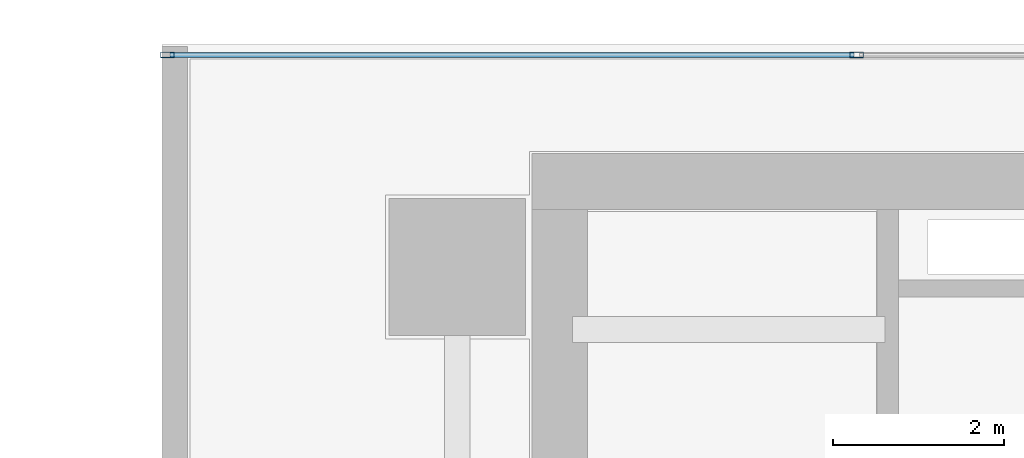
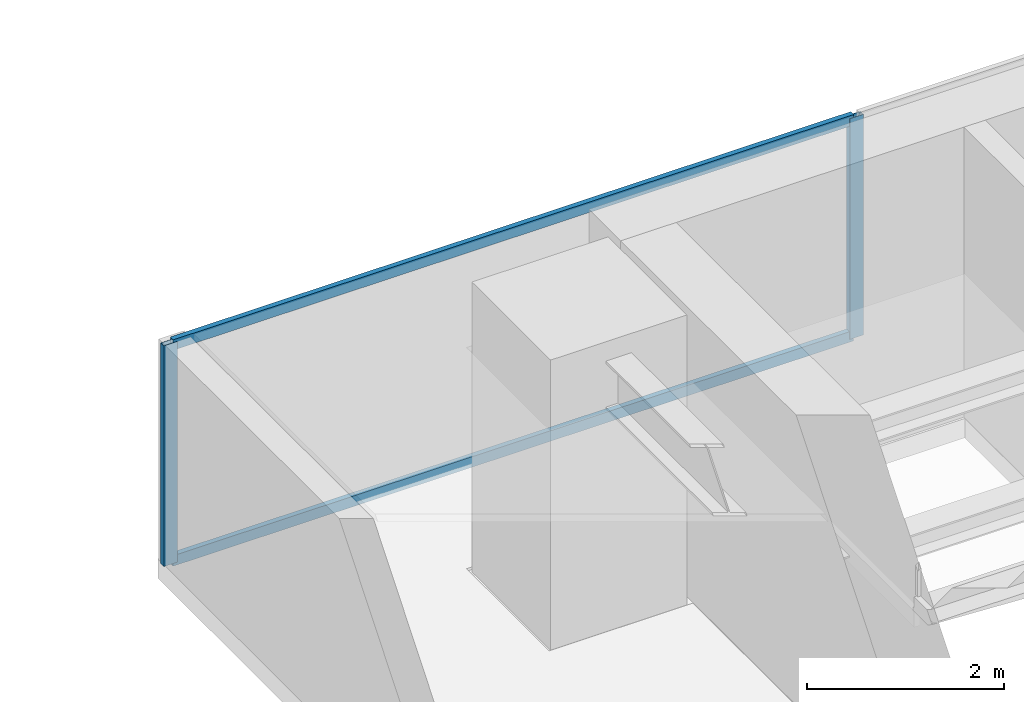
# One storey, part 20 of 36: 4 members, 1 element without a shape of its own.
"""IFC4 building model written with IfcOpenShell, lengths in metres."""

import ifcopenshell
import ifcopenshell.guid

model = None  # the IFC model being written
_history = None  # IfcOwnerHistory: only IFC2X3 demands one
_inside = {}  # id of a spatial element -> (the spatial element, [elements in it])
_under = {}  # id of a project, library or spatial element -> (it, [spatial elements below it])
_declared = {}  # id of a project -> (the project, [libraries it declares])
_typed = {}  # id of a type object -> (the type object, [elements of that type])
_made_of = {}  # id of a material, layer set ... -> (it, [elements and type objects made of it])


def new_model(schema):
    """Start an empty IFC model of exactly this schema.

    Asked for "IFC4X3", IfcOpenShell would pick the latest addendum, in which some entities
    have other attributes; the version numbers below select the first issue.
    IFC2X3 requires an IfcOwnerHistory on every rooted entity: one is made here for all.
    """
    global model, _history
    if schema == "IFC4X3":
        model = ifcopenshell.file(schema_version=(4, 3, 0, 0))
    else:
        model = ifcopenshell.file(schema=schema)
    _inside.clear()
    _under.clear()
    _declared.clear()
    _typed.clear()
    _made_of.clear()
    _history = None
    if model.schema == "IFC2X3":
        org = make("IfcOrganization", Name="unknown")
        user = make(
            "IfcPersonAndOrganization",
            ThePerson=make("IfcPerson", FamilyName="unknown"),
            TheOrganization=org,
        )
        app = make(
            "IfcApplication",
            ApplicationDeveloper=org,
            Version="unknown",
            ApplicationFullName="unknown",
            ApplicationIdentifier="unknown",
        )
        _history = make(
            "IfcOwnerHistory",
            OwningUser=user,
            OwningApplication=app,
            ChangeAction="ADDED",
            CreationDate=0,
        )
    return model


def make(cls, **values):
    """One entity of the class cls with the attributes given. An attribute that is None is left unset."""
    return model.create_entity(
        cls, **{name: value for name, value in values.items() if value is not None}
    )


def rooted(cls, **values):
    """An entity with a GlobalId (a new one), such as an element, a storey or a relation."""
    return make(cls, GlobalId=ifcopenshell.guid.new(), OwnerHistory=_history, **values)


def si_unit(unit_type, name, prefix=None):
    """IfcSIUnit, for example si_unit("LENGTHUNIT", "METRE", prefix="MILLI")."""
    return make("IfcSIUnit", UnitType=unit_type, Prefix=prefix, Name=name)


def assignment(units):
    """IfcUnitAssignment: the units of a project."""
    return None if units is None else make("IfcUnitAssignment", Units=units)


def point(xyz):
    """IfcCartesianPoint."""
    return None if xyz is None else make("IfcCartesianPoint", Coordinates=xyz)


def direction(xyz):
    """IfcDirection."""
    return None if xyz is None else make("IfcDirection", DirectionRatios=xyz)


def frame(location, z_axis=None, x_axis=None):
    """IfcAxis2Placement3D, a coordinate frame: its origin and axes. An axis left out is left unset."""
    return make(
        "IfcAxis2Placement3D",
        Location=point(location),
        Axis=direction(z_axis),
        RefDirection=direction(x_axis),
    )


def frame_2d(location, x_axis=None):
    """IfcAxis2Placement2D, a coordinate frame in the plane: its origin and x axis."""
    return make(
        "IfcAxis2Placement2D", Location=point(location), RefDirection=direction(x_axis)
    )


def origin():
    """The frame at (0, 0, 0) with its axes left unset."""
    return frame((0.0, 0.0, 0.0))


def origin_2d():
    """The frame at (0, 0) in the plane with its x axis left unset."""
    return frame_2d((0.0, 0.0))


def place(relative_to, where):
    """IfcLocalPlacement: puts the frame where relative to a parent placement (None: the world)."""
    return make(
        "IfcLocalPlacement", PlacementRelTo=relative_to, RelativePlacement=where
    )


def context(
    kind, dimensions, precision=None, world=None, true_north=None, identifier=None
):
    """IfcGeometricRepresentationContext, for example the 3D "Model" context."""
    return make(
        "IfcGeometricRepresentationContext",
        ContextIdentifier=identifier,
        ContextType=kind,
        CoordinateSpaceDimension=dimensions,
        Precision=precision,
        WorldCoordinateSystem=world,
        TrueNorth=true_north,
    )


def subcontext(parent, identifier, kind, view, scale=None):
    """IfcGeometricRepresentationSubContext, for example "Body" below "Model"."""
    return make(
        "IfcGeometricRepresentationSubContext",
        ContextIdentifier=identifier,
        ContextType=kind,
        ParentContext=parent,
        TargetScale=scale,
        TargetView=view,
    )


def project(units=None, contexts=None):
    """IfcProject with its units and contexts."""
    return rooted(
        "IfcProject",
        Name="project",
        RepresentationContexts=contexts,
        UnitsInContext=assignment(units),
    )


def spatial(cls, under=None, at=None, **own):
    """A site, building, storey or space (cls), placed at a placement, below another one or the project."""
    s = rooted(cls, ObjectPlacement=at, **own)
    if under is not None:
        _under.setdefault(under.id(), (under, []))[1].append(s)
    return s


def profile(cls, at=None, kind="AREA", **sizes):
    """A parametric profile (cls). Its sizes go by their IFC names, for example OverallWidth=200.0."""
    return make(cls, ProfileType=kind, Position=at, **sizes)


def hollow_rectangle(**sizes):
    """IfcRectangleHollowProfileDef."""
    return profile("IfcRectangleHollowProfileDef", **sizes)


def extrude(swept, where, along, depth):
    """IfcExtrudedAreaSolid: the profile swept, set in the frame where, extruded along a direction by depth."""
    return make(
        "IfcExtrudedAreaSolid",
        SweptArea=swept,
        Position=where,
        ExtrudedDirection=direction(along),
        Depth=depth,
    )


def shape(context_of_items, identifier, shape_type, items):
    """IfcShapeRepresentation: the items that make up one representation, for example the "Body"."""
    return make(
        "IfcShapeRepresentation",
        ContextOfItems=context_of_items,
        RepresentationIdentifier=identifier,
        RepresentationType=shape_type,
        Items=items,
    )


def source(mapping_origin, context_of_items, identifier, shape_type, items):
    """IfcRepresentationMap: a shape defined once, which mapped items show again and again."""
    return make(
        "IfcRepresentationMap",
        MappingOrigin=mapping_origin,
        MappedRepresentation=shape(context_of_items, identifier, shape_type, items),
    )


def transform(
    local_origin,
    x_axis=None,
    y_axis=None,
    z_axis=None,
    scale=None,
    scale2=None,
    scale3=None,
    uniform=True,
):
    """IfcCartesianTransformationOperator3D, or its non-uniform kind. x_axis, y_axis, z_axis: its Axis1, 2, 3."""
    if uniform:
        return make(
            "IfcCartesianTransformationOperator3D",
            Axis1=direction(x_axis),
            Axis2=direction(y_axis),
            LocalOrigin=point(local_origin),
            Scale=scale,
            Axis3=direction(z_axis),
        )
    return make(
        "IfcCartesianTransformationOperator3DnonUniform",
        Axis1=direction(x_axis),
        Axis2=direction(y_axis),
        LocalOrigin=point(local_origin),
        Scale=scale,
        Axis3=direction(z_axis),
        Scale2=scale2,
        Scale3=scale3,
    )


def mapped(mapping_source, mapping_target):
    """IfcMappedItem: shows the shape of a source again, moved by a transform."""
    return make(
        "IfcMappedItem", MappingSource=mapping_source, MappingTarget=mapping_target
    )


def material(Name=None, Category=None):
    """IfcMaterial."""
    return make("IfcMaterial", Name=Name, Category=Category)


def layer(
    of_material, thickness, ventilated=None, Name=None, Category=None, Priority=None
):
    """IfcMaterialLayer: one layer of a wall or slab, of a material (None: an air gap)."""
    return make(
        "IfcMaterialLayer",
        Material=of_material,
        LayerThickness=thickness,
        IsVentilated=ventilated,
        Name=Name,
        Category=Category,
        Priority=Priority,
    )


def layer_set(layers, Name=None):
    """IfcMaterialLayerSet."""
    return make("IfcMaterialLayerSet", MaterialLayers=layers, LayerSetName=Name)


def material_profile(
    of_material, cross_section, Name=None, Category=None, Priority=None
):
    """IfcMaterialProfile: a cross section and its material."""
    return make(
        "IfcMaterialProfile",
        Name=Name,
        Material=of_material,
        Profile=cross_section,
        Priority=Priority,
        Category=Category,
    )


def profile_set(profiles, Name=None, composite=None):
    """IfcMaterialProfileSet."""
    return make(
        "IfcMaterialProfileSet",
        Name=Name,
        MaterialProfiles=profiles,
        CompositeProfile=composite,
    )


def made_of(thing, what):
    """Note that an element or type object is made of a material, layer set ...; save() writes the relation."""
    if what is not None:
        _made_of.setdefault(what.id(), (what, []))[1].append(thing)
    return thing


def type_object(cls, material=None, **own):
    """A type object (cls), such as IfcWallType, which elements share."""
    return made_of(rooted(cls, **own), material)


def element(
    cls,
    number,
    at=None,
    inside=None,
    cuts=None,
    type_object=None,
    material=None,
    context=None,
    identifier="Body",
    shape_type=None,
    held_by="IfcProductDefinitionShape",
    body=None,
    shapes=None,
    **own,
):
    """One element of the class cls, such as IfcWall. Its Tag is "e" and its number.

    at: its placement. inside: the storey or other place that contains it. cuts: it is an
    opening in that element (IfcRelVoidsElement). A single representation is given by context,
    identifier, shape_type and body (its items); several are given by shapes. held_by: the class
    of the entity that holds the representations. save() writes the other relations.
    """
    e = rooted(cls, Tag="e%d" % number, ObjectPlacement=at, **own)
    if body is not None:
        shapes = [shape(context, identifier, shape_type, body)]
    if shapes is not None:
        e.Representation = make(held_by, Representations=shapes)
    if inside is not None:
        _inside.setdefault(inside.id(), (inside, []))[1].append(e)
    if cuts is not None:
        rooted(
            "IfcRelVoidsElement", RelatingBuildingElement=cuts, RelatedOpeningElement=e
        )
    if type_object is not None:
        _typed.setdefault(type_object.id(), (type_object, []))[1].append(e)
    return made_of(e, material)


def aggregate(whole, parts):
    """IfcRelAggregates: a whole, such as a stair, and the parts it consists of."""
    return rooted("IfcRelAggregates", RelatingObject=whole, RelatedObjects=parts)


def save(model, path):
    """Write the relations noted so far, then the file.

    IfcRelAggregates (storeys below a building ...), IfcRelContainedInSpatialStructure (elements
    in a storey), IfcRelDefinesByType, IfcRelAssociatesMaterial and IfcRelDeclares: one each for
    every whole, place, type object, material and project.
    """
    for whole, parts in _under.values():
        aggregate(whole, parts)
    for where, things in _inside.values():
        rooted(
            "IfcRelContainedInSpatialStructure",
            RelatedElements=things,
            RelatingStructure=where,
        )
    for kind, things in _typed.values():
        rooted("IfcRelDefinesByType", RelatedObjects=things, RelatingType=kind)
    for what, things in _made_of.values():
        rooted("IfcRelAssociatesMaterial", RelatedObjects=things, RelatingMaterial=what)
    for by, libraries in _declared.values():
        rooted("IfcRelDeclares", RelatingContext=by, RelatedDefinitions=libraries)
    model.write(path)


model = new_model("IFC4")

# Units and contexts
model_context = context("Model", 3, precision=1e-05, world=origin(), true_north=direction((0.0, 1.0)))
body_context = subcontext(model_context, "Body", "Model", "MODEL_VIEW")
ifc_project = project(units=[si_unit("LENGTHUNIT", "METRE"), si_unit("AREAUNIT", "SQUARE_METRE"), si_unit("VOLUMEUNIT", "CUBIC_METRE"), si_unit("PLANEANGLEUNIT", "RADIAN"), si_unit("MASSUNIT", "GRAM", prefix="KILO")], contexts=[model_context])

# Site, building, storey
site_placement = place(None, origin())
site = spatial("IfcSite", under=ifc_project, at=site_placement, CompositionType="ELEMENT")
building_placement = place(site_placement, origin())
building = spatial("IfcBuilding", under=site, at=building_placement, Name="Sumidabori Civic Tower", CompositionType="ELEMENT")
storey_placement = place(building_placement, frame((0.0, 0.0, 92.0)))
storey = spatial("IfcBuildingStorey", under=building, at=storey_placement, Name="L23", CompositionType="ELEMENT", Elevation=92.0)

# Curtain wall, members
ifc_material = material(Name="Anodised Bronze Aluminium AW-6063-T6", Category="aluminium")
ifc_layer = layer(ifc_material, 0.179931640625, Name="Anodised Bronze Aluminium AW-6063-T6")
ifc_layer_set = layer_set([ifc_layer], Name="Anodised Bronze Aluminium AW-6063-T6")
curtain_wall_type = type_object("IfcCurtainWallType", Name="CW-SYS-3", PredefinedType="NOTDEFINED", material=ifc_layer_set)
curtain_wall_placement = place(storey_placement, origin())
curtain_wall = element("IfcCurtainWall", 1, at=curtain_wall_placement, inside=storey, type_object=curtain_wall_type, Name="Curtain Wall CW:L23:R07", PredefinedType="NOTDEFINED")
ifc_material_profile_1 = material_profile(ifc_material, hollow_rectangle(XDim=0.06494140625, YDim=0.159912109375, WallThickness=0.0048828125, at=origin_2d()), Name="ALU MULLION 160x65")
ifc_profile_set_1 = profile_set([ifc_material_profile_1], Name="Anodised Bronze Aluminium AW-6063-T6")
member_type_1 = type_object("IfcMemberType", Name="CW-MUL-160", PredefinedType="MULLION", material=ifc_profile_set_1)
shared_shape_1 = source(origin(), body_context, "Body", "SweptSolid", [
    extrude(hollow_rectangle(XDim=0.06494140625, YDim=0.159912109375, WallThickness=0.0048828125, at=origin_2d()), origin(), (0.0, 0.0, 1.0), 2.739990234375),
])
member_1_placement = place(storey_placement, frame((-12.132080078125, 25.280029296875, 0.0), z_axis=(0.0, 0.0, 1.0), x_axis=(0.0, -1.0, 0.0)))
member_1 = element("IfcMember", 2, at=member_1_placement, type_object=member_type_1, Name="CW-3 mullion 5", PredefinedType="MULLION", context=body_context, shape_type="MappedRepresentation", body=[
    mapped(shared_shape_1, transform((0.0, 0.0, 0.0), x_axis=(1.0, 0.0, 0.0), y_axis=(0.0, 1.0, 0.0), z_axis=(0.0, 0.0, 1.0), scale=1.0)),
])
member_2_placement = place(storey_placement, frame((-20.1875, 25.280029296875, 0.0), z_axis=(0.0, 0.0, 1.0), x_axis=(0.0, -1.0, 0.0)))
member_2 = element("IfcMember", 3, at=member_2_placement, type_object=member_type_1, Name="CW-3 mullion 6", PredefinedType="MULLION", context=body_context, shape_type="MappedRepresentation", body=[
    mapped(shared_shape_1, transform((0.0, 0.0, 0.0), x_axis=(1.0, 0.0, 0.0), y_axis=(0.0, 1.0, 0.0), z_axis=(0.0, 0.0, 1.0), scale=1.0)),
])
ifc_material_profile_2 = material_profile(ifc_material, hollow_rectangle(XDim=0.06005859375, YDim=0.1298828125, WallThickness=0.0048828125, at=origin_2d()), Name="ALU TRANSOM 130x60")
ifc_profile_set_2 = profile_set([ifc_material_profile_2], Name="Anodised Bronze Aluminium AW-6063-T6")
member_type_2 = type_object("IfcMemberType", Name="CW-TRN-130", PredefinedType="USERDEFINED", material=ifc_profile_set_2)
shared_shape_2 = source(origin(), body_context, "Body", "SweptSolid", [
    extrude(hollow_rectangle(XDim=0.06005859375, YDim=0.1298828125, WallThickness=0.0048828125, at=origin_2d()), origin(), (0.0, 0.0, 1.0), 7.990478515625),
])
member_3_placement = place(storey_placement, frame((-12.16455078125, 25.280029296875, 0.030029296875), z_axis=(-1.0, 0.0, 0.0), x_axis=(0.0, -1.0, 0.0)))
member_3 = element("IfcMember", 4, at=member_3_placement, type_object=member_type_2, Name="CW-3 transom 5.1", ObjectType="TRANSOM", PredefinedType="USERDEFINED", context=body_context, shape_type="MappedRepresentation", body=[
    mapped(shared_shape_2, transform((0.0, 0.0, 0.0), x_axis=(1.0, 0.0, 0.0), y_axis=(0.0, 1.0, 0.0), z_axis=(0.0, 0.0, 1.0), scale=1.0)),
])
member_4_placement = place(storey_placement, frame((-12.16455078125, 25.280029296875, 2.7099609375), z_axis=(-1.0, 0.0, 0.0), x_axis=(0.0, -1.0, 0.0)))
member_4 = element("IfcMember", 5, at=member_4_placement, type_object=member_type_2, Name="CW-3 transom 5.2", ObjectType="TRANSOM", PredefinedType="USERDEFINED", context=body_context, shape_type="MappedRepresentation", body=[
    mapped(shared_shape_2, transform((0.0, 0.0, 0.0), x_axis=(1.0, 0.0, 0.0), y_axis=(0.0, 1.0, 0.0), z_axis=(0.0, 0.0, 1.0), scale=1.0)),
])
aggregate(curtain_wall, [member_1, member_2, member_3, member_4])

save(model, "model.ifc")
